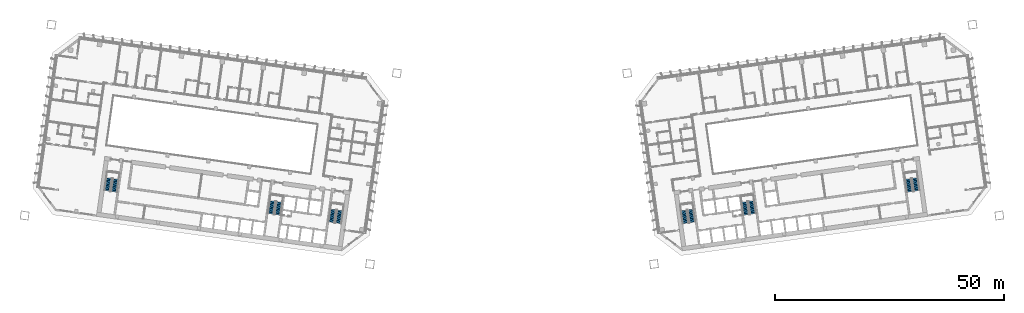
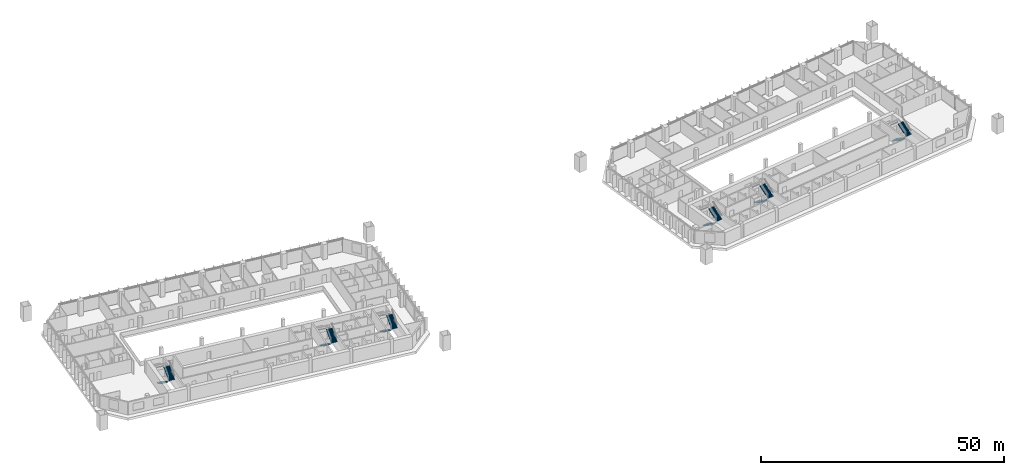
# One storey, part 22 of 24: 12 stair flights, 6 elements without a shape of their own.
"""IFC4 building model written with IfcOpenShell, lengths in metres."""

from ifc_helpers import new_model, si_unit, direction, frame, origin, place, context, subcontext, project, spatial, polyline, outline, extrude, material, type_object, element, aggregate, save


model = new_model("IFC4")

# Units and contexts
model_context = context("Model", 3, precision=1e-05, world=origin(), true_north=direction((0.0, 1.0)))
body_context = subcontext(model_context, "Body", "Model", "MODEL_VIEW")
ifc_project = project(units=[si_unit("LENGTHUNIT", "METRE"), si_unit("AREAUNIT", "SQUARE_METRE"), si_unit("VOLUMEUNIT", "CUBIC_METRE"), si_unit("PLANEANGLEUNIT", "RADIAN"), si_unit("MASSUNIT", "GRAM", prefix="KILO")], contexts=[model_context])

# Site, building, storey
site_placement = place(None, origin())
site = spatial("IfcSite", under=ifc_project, at=site_placement, CompositionType="ELEMENT")
building_placement = place(site_placement, origin())
building = spatial("IfcBuilding", under=site, at=building_placement, Name="Mirante Cascada Hotel Towers", CompositionType="ELEMENT")
storey_placement = place(building_placement, frame((0.0, 0.0, 50.9)))
storey = spatial("IfcBuildingStorey", under=building, at=storey_placement, Name="L09", CompositionType="ELEMENT", Elevation=50.9)

# Stair, stair flights
ifc_material_1 = material(Name="Concrete C35/45", Category="concrete")
stair_type = type_object("IfcStairType", Name="Exit stair half-turn 1350 concrete C35/45", PredefinedType="HALF_TURN_STAIR", material=ifc_material_1)
stair_1_placement = place(storey_placement, origin())
stair_1 = element("IfcStair", 1, at=stair_1_placement, inside=storey, type_object=stair_type, Name="L09 Exit stair A", PredefinedType="HALF_TURN_STAIR")
ifc_material_2 = material(Name="Concrete C35/45", Category="concrete")
stair_flight_type = type_object("IfcStairFlightType", Name="Exit stair flight 1350 concrete C35/45", PredefinedType="STRAIGHT", material=ifc_material_2)
stair_flight_1_placement = place(storey_placement, frame((-38.9417, -11.195, 0.0), z_axis=(0.0, 0.0, 1.0), x_axis=(-0.1391731, -0.9902681, 0.0)))
stair_flight_1 = element("IfcStairFlight", 2, at=stair_flight_1_placement, type_object=stair_flight_type, Name="ST1-A flight 1", NumberOfRisers=11, NumberOfTreads=10, PredefinedType="STRAIGHT", RiserHeight=0.172727273, TreadLength=0.28, context=body_context, shape_type="SweptSolid", body=[
    extrude(outline(polyline([(0.0, 0.0), (0.0, 0.1727), (0.28, 0.1727), (0.28, 0.3455), (0.56, 0.3455), (0.56, 0.5182), (0.84, 0.5182), (0.84, 0.6909), (1.12, 0.6909), (1.12, 0.8636), (1.4, 0.8636), (1.4, 1.0364), (1.68, 1.0364), (1.68, 1.2091), (1.96, 1.2091), (1.96, 1.3818), (2.24, 1.3818), (2.24, 1.5545), (2.52, 1.5545), (2.52, 1.7273), (2.8, 1.7273), (2.8, 1.9), (2.8, 1.551), (0.2857, 0.0), (0.0, 0.0)])), frame((0.0, 0.675, 0.0), z_axis=(0.0, -1.0, 0.0), x_axis=(1.0, 0.0, 0.0)), (0.0, 0.0, 1.0), 1.35),
])
stair_flight_2_placement = place(storey_placement, frame((-37.846, -14.1765, 1.9), z_axis=(0.0, 0.0, 1.0), x_axis=(0.1391731, 0.9902681, 0.0)))
stair_flight_2 = element("IfcStairFlight", 3, at=stair_flight_2_placement, type_object=stair_flight_type, Name="ST1-A flight 2", NumberOfRisers=11, NumberOfTreads=10, PredefinedType="STRAIGHT", RiserHeight=0.172727273, TreadLength=0.28, context=body_context, shape_type="SweptSolid", body=[
    extrude(outline(polyline([(0.0, 0.0), (0.0, 0.1727), (0.28, 0.1727), (0.28, 0.3455), (0.56, 0.3455), (0.56, 0.5182), (0.84, 0.5182), (0.84, 0.6909), (1.12, 0.6909), (1.12, 0.8636), (1.4, 0.8636), (1.4, 1.0364), (1.68, 1.0364), (1.68, 1.2091), (1.96, 1.2091), (1.96, 1.3818), (2.24, 1.3818), (2.24, 1.5545), (2.52, 1.5545), (2.52, 1.7273), (2.8, 1.7273), (2.8, 1.9), (2.8, 1.551), (0.2857, 0.0), (0.0, 0.0)])), frame((0.0, 0.675, 0.0), z_axis=(0.0, -1.0, 0.0), x_axis=(1.0, 0.0, 0.0)), (0.0, 0.0, 1.0), 1.35),
])
aggregate(stair_1, [stair_flight_1, stair_flight_2])

stair_2_placement = place(storey_placement, origin())
stair_2 = element("IfcStair", 4, at=stair_2_placement, inside=storey, type_object=stair_type, Name="L09 Exit stair B", PredefinedType="HALF_TURN_STAIR")
stair_flight_3_placement = place(storey_placement, frame((-52.1618, -9.3371, 0.0), z_axis=(0.0, 0.0, 1.0), x_axis=(-0.1391731, -0.9902681, 0.0)))
stair_flight_3 = element("IfcStairFlight", 5, at=stair_flight_3_placement, type_object=stair_flight_type, Name="ST1-B flight 1", NumberOfRisers=11, NumberOfTreads=10, PredefinedType="STRAIGHT", RiserHeight=0.172727273, TreadLength=0.28, context=body_context, shape_type="SweptSolid", body=[
    extrude(outline(polyline([(0.0, 0.0), (0.0, 0.1727), (0.28, 0.1727), (0.28, 0.3455), (0.56, 0.3455), (0.56, 0.5182), (0.84, 0.5182), (0.84, 0.6909), (1.12, 0.6909), (1.12, 0.8636), (1.4, 0.8636), (1.4, 1.0364), (1.68, 1.0364), (1.68, 1.2091), (1.96, 1.2091), (1.96, 1.3818), (2.24, 1.3818), (2.24, 1.5545), (2.52, 1.5545), (2.52, 1.7273), (2.8, 1.7273), (2.8, 1.9), (2.8, 1.551), (0.2857, 0.0), (0.0, 0.0)])), frame((0.0, 0.675, 0.0), z_axis=(0.0, -1.0, 0.0), x_axis=(1.0, 0.0, 0.0)), (0.0, 0.0, 1.0), 1.35),
])
stair_flight_4_placement = place(storey_placement, frame((-51.0661, -12.3186, 1.9), z_axis=(0.0, 0.0, 1.0), x_axis=(0.1391731, 0.9902681, 0.0)))
stair_flight_4 = element("IfcStairFlight", 6, at=stair_flight_4_placement, type_object=stair_flight_type, Name="ST1-B flight 2", NumberOfRisers=11, NumberOfTreads=10, PredefinedType="STRAIGHT", RiserHeight=0.172727273, TreadLength=0.28, context=body_context, shape_type="SweptSolid", body=[
    extrude(outline(polyline([(0.0, 0.0), (0.0, 0.1727), (0.28, 0.1727), (0.28, 0.3455), (0.56, 0.3455), (0.56, 0.5182), (0.84, 0.5182), (0.84, 0.6909), (1.12, 0.6909), (1.12, 0.8636), (1.4, 0.8636), (1.4, 1.0364), (1.68, 1.0364), (1.68, 1.2091), (1.96, 1.2091), (1.96, 1.3818), (2.24, 1.3818), (2.24, 1.5545), (2.52, 1.5545), (2.52, 1.7273), (2.8, 1.7273), (2.8, 1.9), (2.8, 1.551), (0.2857, 0.0), (0.0, 0.0)])), frame((0.0, 0.675, 0.0), z_axis=(0.0, -1.0, 0.0), x_axis=(1.0, 0.0, 0.0)), (0.0, 0.0, 1.0), 1.35),
])
aggregate(stair_2, [stair_flight_3, stair_flight_4])

stair_3_placement = place(storey_placement, origin())
stair_3 = element("IfcStair", 7, at=stair_3_placement, inside=storey, type_object=stair_type, Name="L09 Exit stair C", PredefinedType="HALF_TURN_STAIR")
stair_flight_5_placement = place(storey_placement, frame((-87.8115, -4.3268, 0.0), z_axis=(0.0, 0.0, 1.0), x_axis=(-0.1391731, -0.9902681, 0.0)))
stair_flight_5 = element("IfcStairFlight", 8, at=stair_flight_5_placement, type_object=stair_flight_type, Name="ST1-C flight 1", NumberOfRisers=11, NumberOfTreads=10, PredefinedType="STRAIGHT", RiserHeight=0.172727273, TreadLength=0.28, context=body_context, shape_type="SweptSolid", body=[
    extrude(outline(polyline([(0.0, 0.0), (0.0, 0.1727), (0.28, 0.1727), (0.28, 0.3455), (0.56, 0.3455), (0.56, 0.5182), (0.84, 0.5182), (0.84, 0.6909), (1.12, 0.6909), (1.12, 0.8636), (1.4, 0.8636), (1.4, 1.0364), (1.68, 1.0364), (1.68, 1.2091), (1.96, 1.2091), (1.96, 1.3818), (2.24, 1.3818), (2.24, 1.5545), (2.52, 1.5545), (2.52, 1.7273), (2.8, 1.7273), (2.8, 1.9), (2.8, 1.551), (0.2857, 0.0), (0.0, 0.0)])), frame((0.0, 0.675, 0.0), z_axis=(0.0, -1.0, 0.0), x_axis=(1.0, 0.0, 0.0)), (0.0, 0.0, 1.0), 1.35),
])
stair_flight_6_placement = place(storey_placement, frame((-86.7157, -7.3084, 1.9), z_axis=(0.0, 0.0, 1.0), x_axis=(0.1391731, 0.9902681, 0.0)))
stair_flight_6 = element("IfcStairFlight", 9, at=stair_flight_6_placement, type_object=stair_flight_type, Name="ST1-C flight 2", NumberOfRisers=11, NumberOfTreads=10, PredefinedType="STRAIGHT", RiserHeight=0.172727273, TreadLength=0.28, context=body_context, shape_type="SweptSolid", body=[
    extrude(outline(polyline([(0.0, 0.0), (0.0, 0.1727), (0.28, 0.1727), (0.28, 0.3455), (0.56, 0.3455), (0.56, 0.5182), (0.84, 0.5182), (0.84, 0.6909), (1.12, 0.6909), (1.12, 0.8636), (1.4, 0.8636), (1.4, 1.0364), (1.68, 1.0364), (1.68, 1.2091), (1.96, 1.2091), (1.96, 1.3818), (2.24, 1.3818), (2.24, 1.5545), (2.52, 1.5545), (2.52, 1.7273), (2.8, 1.7273), (2.8, 1.9), (2.8, 1.551), (0.2857, 0.0), (0.0, 0.0)])), frame((0.0, 0.675, 0.0), z_axis=(0.0, -1.0, 0.0), x_axis=(1.0, 0.0, 0.0)), (0.0, 0.0, 1.0), 1.35),
])
aggregate(stair_3, [stair_flight_5, stair_flight_6])

stair_4_placement = place(storey_placement, origin())
stair_4 = element("IfcStair", 10, at=stair_4_placement, inside=storey, type_object=stair_type, Name="L09 Exit stair A", PredefinedType="HALF_TURN_STAIR")
stair_flight_7_placement = place(storey_placement, frame((37.4563, -11.4038, 0.0), z_axis=(0.0, 0.0, 1.0), x_axis=(0.1391731, -0.9902681, 0.0)))
stair_flight_7 = element("IfcStairFlight", 11, at=stair_flight_7_placement, type_object=stair_flight_type, Name="ST2-A flight 1", NumberOfRisers=11, NumberOfTreads=10, PredefinedType="STRAIGHT", RiserHeight=0.172727273, TreadLength=0.28, context=body_context, shape_type="SweptSolid", body=[
    extrude(outline(polyline([(0.0, 0.0), (0.0, 0.1727), (0.28, 0.1727), (0.28, 0.3455), (0.56, 0.3455), (0.56, 0.5182), (0.84, 0.5182), (0.84, 0.6909), (1.12, 0.6909), (1.12, 0.8636), (1.4, 0.8636), (1.4, 1.0364), (1.68, 1.0364), (1.68, 1.2091), (1.96, 1.2091), (1.96, 1.3818), (2.24, 1.3818), (2.24, 1.5545), (2.52, 1.5545), (2.52, 1.7273), (2.8, 1.7273), (2.8, 1.9), (2.8, 1.551), (0.2857, 0.0), (0.0, 0.0)])), frame((0.0, 0.675, 0.0), z_axis=(0.0, -1.0, 0.0), x_axis=(1.0, 0.0, 0.0)), (0.0, 0.0, 1.0), 1.35),
])
stair_flight_8_placement = place(storey_placement, frame((39.3314, -13.9678, 1.9), z_axis=(0.0, 0.0, 1.0), x_axis=(-0.1391731, 0.9902681, 0.0)))
stair_flight_8 = element("IfcStairFlight", 12, at=stair_flight_8_placement, type_object=stair_flight_type, Name="ST2-A flight 2", NumberOfRisers=11, NumberOfTreads=10, PredefinedType="STRAIGHT", RiserHeight=0.172727273, TreadLength=0.28, context=body_context, shape_type="SweptSolid", body=[
    extrude(outline(polyline([(0.0, 0.0), (0.0, 0.1727), (0.28, 0.1727), (0.28, 0.3455), (0.56, 0.3455), (0.56, 0.5182), (0.84, 0.5182), (0.84, 0.6909), (1.12, 0.6909), (1.12, 0.8636), (1.4, 0.8636), (1.4, 1.0364), (1.68, 1.0364), (1.68, 1.2091), (1.96, 1.2091), (1.96, 1.3818), (2.24, 1.3818), (2.24, 1.5545), (2.52, 1.5545), (2.52, 1.7273), (2.8, 1.7273), (2.8, 1.9), (2.8, 1.551), (0.2857, 0.0), (0.0, 0.0)])), frame((0.0, 0.675, 0.0), z_axis=(0.0, -1.0, 0.0), x_axis=(1.0, 0.0, 0.0)), (0.0, 0.0, 1.0), 1.35),
])
aggregate(stair_4, [stair_flight_7, stair_flight_8])

stair_5_placement = place(storey_placement, origin())
stair_5 = element("IfcStair", 13, at=stair_5_placement, inside=storey, type_object=stair_type, Name="L09 Exit stair B", PredefinedType="HALF_TURN_STAIR")
stair_flight_9_placement = place(storey_placement, frame((50.6764, -9.5458, 0.0), z_axis=(0.0, 0.0, 1.0), x_axis=(0.1391731, -0.9902681, 0.0)))
stair_flight_9 = element("IfcStairFlight", 14, at=stair_flight_9_placement, type_object=stair_flight_type, Name="ST2-B flight 1", NumberOfRisers=11, NumberOfTreads=10, PredefinedType="STRAIGHT", RiserHeight=0.172727273, TreadLength=0.28, context=body_context, shape_type="SweptSolid", body=[
    extrude(outline(polyline([(0.0, 0.0), (0.0, 0.1727), (0.28, 0.1727), (0.28, 0.3455), (0.56, 0.3455), (0.56, 0.5182), (0.84, 0.5182), (0.84, 0.6909), (1.12, 0.6909), (1.12, 0.8636), (1.4, 0.8636), (1.4, 1.0364), (1.68, 1.0364), (1.68, 1.2091), (1.96, 1.2091), (1.96, 1.3818), (2.24, 1.3818), (2.24, 1.5545), (2.52, 1.5545), (2.52, 1.7273), (2.8, 1.7273), (2.8, 1.9), (2.8, 1.551), (0.2857, 0.0), (0.0, 0.0)])), frame((0.0, 0.675, 0.0), z_axis=(0.0, -1.0, 0.0), x_axis=(1.0, 0.0, 0.0)), (0.0, 0.0, 1.0), 1.35),
])
stair_flight_10_placement = place(storey_placement, frame((52.5515, -12.1098, 1.9), z_axis=(0.0, 0.0, 1.0), x_axis=(-0.1391731, 0.9902681, 0.0)))
stair_flight_10 = element("IfcStairFlight", 15, at=stair_flight_10_placement, type_object=stair_flight_type, Name="ST2-B flight 2", NumberOfRisers=11, NumberOfTreads=10, PredefinedType="STRAIGHT", RiserHeight=0.172727273, TreadLength=0.28, context=body_context, shape_type="SweptSolid", body=[
    extrude(outline(polyline([(0.0, 0.0), (0.0, 0.1727), (0.28, 0.1727), (0.28, 0.3455), (0.56, 0.3455), (0.56, 0.5182), (0.84, 0.5182), (0.84, 0.6909), (1.12, 0.6909), (1.12, 0.8636), (1.4, 0.8636), (1.4, 1.0364), (1.68, 1.0364), (1.68, 1.2091), (1.96, 1.2091), (1.96, 1.3818), (2.24, 1.3818), (2.24, 1.5545), (2.52, 1.5545), (2.52, 1.7273), (2.8, 1.7273), (2.8, 1.9), (2.8, 1.551), (0.2857, 0.0), (0.0, 0.0)])), frame((0.0, 0.675, 0.0), z_axis=(0.0, -1.0, 0.0), x_axis=(1.0, 0.0, 0.0)), (0.0, 0.0, 1.0), 1.35),
])
aggregate(stair_5, [stair_flight_9, stair_flight_10])

stair_6_placement = place(storey_placement, origin())
stair_6 = element("IfcStair", 16, at=stair_6_placement, inside=storey, type_object=stair_type, Name="L09 Exit stair C", PredefinedType="HALF_TURN_STAIR")
stair_flight_11_placement = place(storey_placement, frame((86.326, -4.5356, 0.0), z_axis=(0.0, 0.0, 1.0), x_axis=(0.1391731, -0.9902681, 0.0)))
stair_flight_11 = element("IfcStairFlight", 17, at=stair_flight_11_placement, type_object=stair_flight_type, Name="ST2-C flight 1", NumberOfRisers=11, NumberOfTreads=10, PredefinedType="STRAIGHT", RiserHeight=0.172727273, TreadLength=0.28, context=body_context, shape_type="SweptSolid", body=[
    extrude(outline(polyline([(0.0, 0.0), (0.0, 0.1727), (0.28, 0.1727), (0.28, 0.3455), (0.56, 0.3455), (0.56, 0.5182), (0.84, 0.5182), (0.84, 0.6909), (1.12, 0.6909), (1.12, 0.8636), (1.4, 0.8636), (1.4, 1.0364), (1.68, 1.0364), (1.68, 1.2091), (1.96, 1.2091), (1.96, 1.3818), (2.24, 1.3818), (2.24, 1.5545), (2.52, 1.5545), (2.52, 1.7273), (2.8, 1.7273), (2.8, 1.9), (2.8, 1.551), (0.2857, 0.0), (0.0, 0.0)])), frame((0.0, 0.675, 0.0), z_axis=(0.0, -1.0, 0.0), x_axis=(1.0, 0.0, 0.0)), (0.0, 0.0, 1.0), 1.35),
])
stair_flight_12_placement = place(storey_placement, frame((88.2011, -7.0996, 1.9), z_axis=(0.0, 0.0, 1.0), x_axis=(-0.1391731, 0.9902681, 0.0)))
stair_flight_12 = element("IfcStairFlight", 18, at=stair_flight_12_placement, type_object=stair_flight_type, Name="ST2-C flight 2", NumberOfRisers=11, NumberOfTreads=10, PredefinedType="STRAIGHT", RiserHeight=0.172727273, TreadLength=0.28, context=body_context, shape_type="SweptSolid", body=[
    extrude(outline(polyline([(0.0, 0.0), (0.0, 0.1727), (0.28, 0.1727), (0.28, 0.3455), (0.56, 0.3455), (0.56, 0.5182), (0.84, 0.5182), (0.84, 0.6909), (1.12, 0.6909), (1.12, 0.8636), (1.4, 0.8636), (1.4, 1.0364), (1.68, 1.0364), (1.68, 1.2091), (1.96, 1.2091), (1.96, 1.3818), (2.24, 1.3818), (2.24, 1.5545), (2.52, 1.5545), (2.52, 1.7273), (2.8, 1.7273), (2.8, 1.9), (2.8, 1.551), (0.2857, 0.0), (0.0, 0.0)])), frame((0.0, 0.675, 0.0), z_axis=(0.0, -1.0, 0.0), x_axis=(1.0, 0.0, 0.0)), (0.0, 0.0, 1.0), 1.35),
])
aggregate(stair_6, [stair_flight_11, stair_flight_12])

save(model, "model.ifc")
